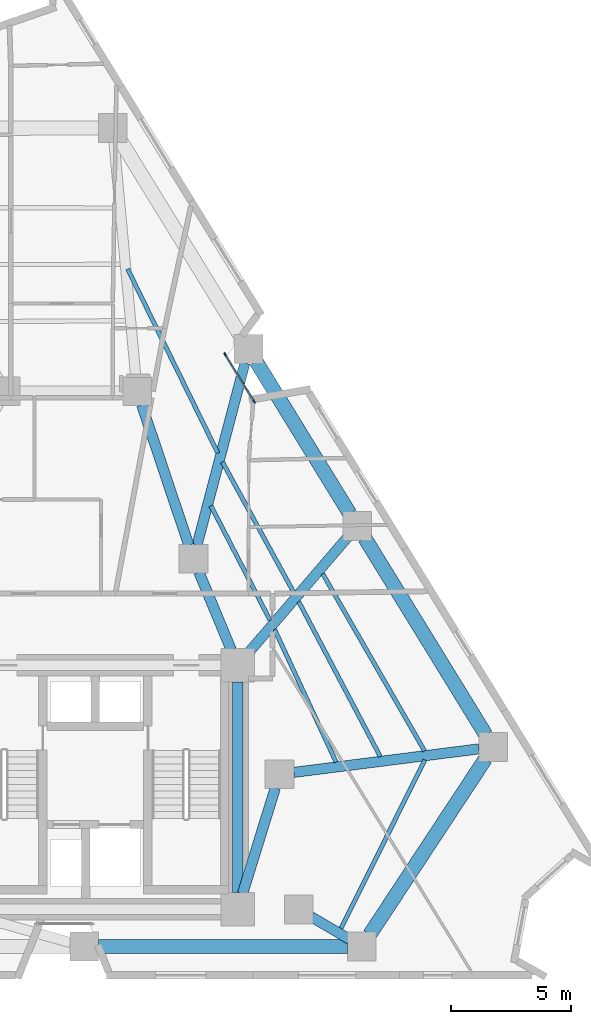
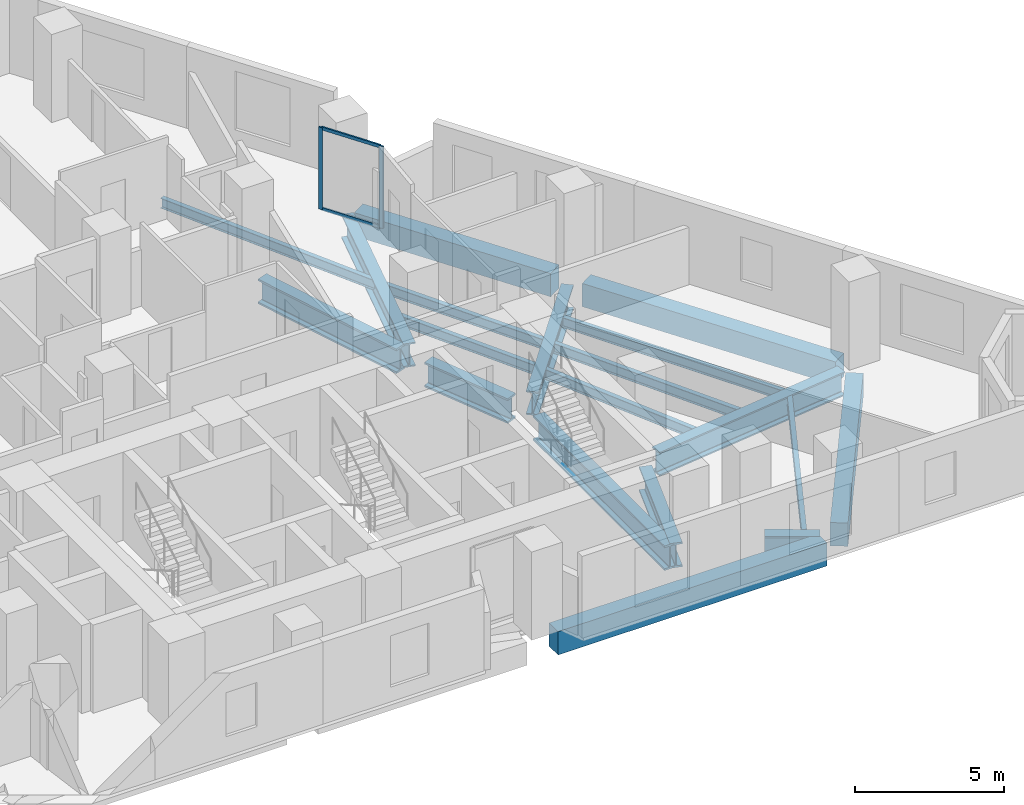
# One storey, part 4 of 13: 19 beams, 4 members, 1 element without a shape of its own.
"""IFC4 building model written with IfcOpenShell, lengths in metres."""

from ifc_helpers import new_model, si_unit, direction, frame, origin, origin_2d, place, context, subcontext, project, spatial, rectangle, i_section, extrude, material, layer, layer_set, material_profile, profile_set, type_object, element, aggregate, save


model = new_model("IFC4")

# Units and contexts
model_context = context("Model", 3, precision=1e-05, world=origin(), true_north=direction((0.0, 1.0)))
body_context = subcontext(model_context, "Body", "Model", "MODEL_VIEW")
ifc_project = project(units=[si_unit("LENGTHUNIT", "METRE"), si_unit("AREAUNIT", "SQUARE_METRE"), si_unit("VOLUMEUNIT", "CUBIC_METRE"), si_unit("PLANEANGLEUNIT", "RADIAN"), si_unit("MASSUNIT", "GRAM", prefix="KILO")], contexts=[model_context])

# Site, building, storey
site_placement = place(None, origin())
site = spatial("IfcSite", under=ifc_project, at=site_placement, CompositionType="ELEMENT")
building_placement = place(site_placement, origin())
building = spatial("IfcBuilding", under=site, at=building_placement, Name="Almagre Mirador Tower", CompositionType="ELEMENT")
storey_placement = place(building_placement, frame((0.0, 0.0, 78.60009765625)))
storey = spatial("IfcBuildingStorey", under=building, at=storey_placement, Name="L19", CompositionType="ELEMENT", Elevation=78.60009765625)

# Beams
ifc_material_1 = material(Name="Steel ASTM A992 Grade 50", Category="steel")
ifc_material_profile_1 = material_profile(ifc_material_1, i_section(OverallWidth=0.178955078125, OverallDepth=0.408935546875, WebThickness=0.0087890625, FlangeThickness=0.014404296875, FilletRadius=0.013916015625, at=origin_2d()), Name="W16X45")
ifc_profile_set_1 = profile_set([ifc_material_profile_1], Name="Steel ASTM A992 Grade 50")
beam_type_1 = type_object("IfcBeamType", Name="BM-JST-W16X45", PredefinedType="JOIST", material=ifc_profile_set_1)
beam_1_placement = place(storey_placement, frame((51.36865234375, 3.75927734375, -0.45458984375), z_axis=(0.445858512844, 0.89510345018, 0.0), x_axis=(-0.89510345018, 0.445858512844, 0.0)))
element("IfcBeam", 1, at=beam_1_placement, inside=storey, type_object=beam_type_1, Name="L19 secondary floor joist PC04-PC05.1", PredefinedType="JOIST", context=body_context, shape_type="SweptSolid", body=[
    extrude(i_section(OverallWidth=0.178955078125, OverallDepth=0.408935546875, WebThickness=0.0087890625, FlangeThickness=0.014404296875, FilletRadius=0.013916015625, at=origin_2d()), origin(), (0.0, 0.0, 1.0), 7.858154296875),
])
beam_2_placement = place(storey_placement, frame((54.861083984375, 11.170166015625, -0.45458984375), z_axis=(-0.498260180267, 0.867027561707, 0.0), x_axis=(-0.867027561707, -0.498260180267, 0.0)))
element("IfcBeam", 2, at=beam_2_placement, inside=storey, type_object=beam_type_1, Name="L19 secondary floor joist PC05-PC06.1", PredefinedType="JOIST", context=body_context, shape_type="SweptSolid", body=[
    extrude(i_section(OverallWidth=0.178955078125, OverallDepth=0.408935546875, WebThickness=0.0087890625, FlangeThickness=0.014404296875, FilletRadius=0.013916015625, at=origin_2d()), origin(), (0.0, 0.0, 1.0), 8.54638671875),
])
beam_3_placement = place(storey_placement, frame((53.010498046875, 10.937744140625, -0.45458984375), z_axis=(-0.466003449067, 0.884782903009, 0.0), x_axis=(-0.884782903009, -0.466003449067, 0.0)))
element("IfcBeam", 3, at=beam_3_placement, inside=storey, type_object=beam_type_1, Name="L19 secondary floor joist PC05-PC06.2", PredefinedType="JOIST", context=body_context, shape_type="SweptSolid", body=[
    extrude(i_section(OverallWidth=0.178955078125, OverallDepth=0.408935546875, WebThickness=0.0087890625, FlangeThickness=0.014404296875, FilletRadius=0.013916015625, at=origin_2d()), origin(), (0.0, 0.0, 1.0), 7.320556640625),
])
beam_4_placement = place(storey_placement, frame((51.16259765625, 10.7060546875, -0.45458984375), z_axis=(-0.420643946583, 0.90722580993, 0.0), x_axis=(-0.90722580993, -0.420643946583, 0.0)))
element("IfcBeam", 4, at=beam_4_placement, inside=storey, type_object=beam_type_1, Name="L19 secondary floor joist PC05-PC06.3", PredefinedType="JOIST", context=body_context, shape_type="SweptSolid", body=[
    extrude(i_section(OverallWidth=0.178955078125, OverallDepth=0.408935546875, WebThickness=0.0087890625, FlangeThickness=0.014404296875, FilletRadius=0.013916015625, at=origin_2d()), origin(), (0.0, 0.0, 1.0), 6.109375),
])
beam_5_placement = place(storey_placement, frame((49.396728515625, 17.7919921875, -0.45458984375), z_axis=(-0.479727277222, 0.877417653965, 0.0), x_axis=(-0.877417653965, -0.479727277222, 0.0)))
element("IfcBeam", 5, at=beam_5_placement, inside=storey, type_object=beam_type_1, Name="L19 secondary floor joist PC06-PC07.2", PredefinedType="JOIST", context=body_context, shape_type="SweptSolid", body=[
    extrude(i_section(OverallWidth=0.178955078125, OverallDepth=0.408935546875, WebThickness=0.0087890625, FlangeThickness=0.014404296875, FilletRadius=0.013916015625, at=origin_2d()), origin(), (0.0, 0.0, 1.0), 6.2138671875),
])
beam_6_placement = place(storey_placement, frame((48.404296875, 16.6328125, -0.45458984375), z_axis=(-0.459287235834, 0.888287810904, 0.0), x_axis=(-0.888287810904, -0.459287235834, 0.0)))
element("IfcBeam", 6, at=beam_6_placement, inside=storey, type_object=beam_type_1, Name="L19 secondary floor joist PC06-PC07.3", PredefinedType="JOIST", context=body_context, shape_type="SweptSolid", body=[
    extrude(i_section(OverallWidth=0.178955078125, OverallDepth=0.408935546875, WebThickness=0.0087890625, FlangeThickness=0.014404296875, FilletRadius=0.013916015625, at=origin_2d()), origin(), (0.0, 0.0, 1.0), 5.384765625),
])
beam_7_placement = place(storey_placement, frame((46.21875, 23.6240234375, -0.45458984375), z_axis=(-0.439958933101, 0.898017893577, 0.0), x_axis=(-0.898017893577, -0.439958933101, 0.0)))
element("IfcBeam", 7, at=beam_7_placement, inside=storey, type_object=beam_type_1, Name="L19 secondary floor joist PC07-PC08.2", PredefinedType="JOIST", context=body_context, shape_type="SweptSolid", body=[
    extrude(i_section(OverallWidth=0.178955078125, OverallDepth=0.408935546875, WebThickness=0.0087890625, FlangeThickness=0.014404296875, FilletRadius=0.013916015625, at=origin_2d()), origin(), (0.0, 0.0, 1.0), 8.565185546875),
])
ifc_material_2 = material(Name="Precast concrete C50/60", Category="concrete")
ifc_material_profile_2 = material_profile(ifc_material_2, rectangle(XDim=0.60009765625, YDim=0.949951171875, at=origin_2d()), Name="RC600X950")
ifc_profile_set_2 = profile_set([ifc_material_profile_2], Name="Precast concrete C50/60")
beam_type_2 = type_object("IfcBeamType", Name="BM-SPN-RC600X950", PredefinedType="SPANDREL", material=ifc_profile_set_2)
beam_8_placement = place(storey_placement, frame((41.239990234375, 3.0, -0.72509765625), z_axis=(1.0, 0.0, 0.0), x_axis=(0.0, 1.0, 0.0)))
element("IfcBeam", 8, at=beam_8_placement, inside=storey, type_object=beam_type_2, Name="L19 perimeter spandrel beam PC03-PC04", PredefinedType="SPANDREL", context=body_context, shape_type="SweptSolid", body=[
    extrude(rectangle(XDim=0.60009765625, YDim=0.949951171875, at=origin_2d()), origin(), (0.0, 0.0, 1.0), 10.39990234375),
])
beam_9_placement = place(storey_placement, frame((52.570068359375, 3.501220703125, -0.72509765625), z_axis=(0.550014218611, 0.835155290545, 0.0), x_axis=(-0.835155290545, 0.550014218611, 0.0)))
element("IfcBeam", 9, at=beam_9_placement, inside=storey, type_object=beam_type_2, Name="L19 perimeter spandrel beam PC04-PC05", PredefinedType="SPANDREL", context=body_context, shape_type="SweptSolid", body=[
    extrude(rectangle(XDim=0.60009765625, YDim=0.949951171875, at=origin_2d()), origin(), (0.0, 0.0, 1.0), 8.78125),
])
beam_10_placement = place(storey_placement, frame((57.415771484375, 11.84716796875, -0.72509765625), z_axis=(-0.523677963784, 0.85191630472, 0.0), x_axis=(-0.85191630472, -0.523677963784, 0.0)))
element("IfcBeam", 10, at=beam_10_placement, inside=storey, type_object=beam_type_2, Name="L19 perimeter spandrel beam PC05-PC06", PredefinedType="SPANDREL", context=body_context, shape_type="SweptSolid", body=[
    extrude(rectangle(XDim=0.60009765625, YDim=0.949951171875, at=origin_2d()), origin(), (0.0, 0.0, 1.0), 9.646240234375),
])
beam_11_placement = place(storey_placement, frame((51.73583984375, 21.087158203125, -0.72509765625), z_axis=(-0.523685630809, 0.851911591707, 0.0), x_axis=(-0.851911591707, -0.523685630809, 0.0)))
element("IfcBeam", 11, at=beam_11_placement, inside=storey, type_object=beam_type_2, Name="L19 perimeter spandrel beam PC06-PC07", PredefinedType="SPANDREL", context=body_context, shape_type="SweptSolid", body=[
    extrude(rectangle(XDim=0.60009765625, YDim=0.949951171875, at=origin_2d()), origin(), (0.0, 0.0, 1.0), 7.476806640625),
])
ifc_material_3 = material(Name="Steel ASTM A992 Grade 50", Category="steel")
ifc_material_profile_3 = material_profile(ifc_material_3, i_section(OverallWidth=0.427978515625, OverallDepth=0.97509765625, WebThickness=0.031005859375, FlangeThickness=0.055908203125, FilletRadius=0.028076171875, at=origin_2d()), Name="W36X395")
ifc_profile_set_3 = profile_set([ifc_material_profile_3], Name="Steel ASTM A992 Grade 50")
beam_type_3 = type_object("IfcBeamType", Name="BM-STL-W36X395", PredefinedType="BEAM", material=ifc_profile_set_3)
beam_12_placement = place(storey_placement, frame((51.72265625, 3.3037109375, -0.737548828125), z_axis=(-0.862372214541, 0.50627479059, 0.0), x_axis=(-0.50627479059, -0.862372214541, 0.0)))
element("IfcBeam", 12, at=beam_12_placement, inside=storey, type_object=beam_type_3, Name="L19 radial floor girder PC04-MC2", PredefinedType="BEAM", context=body_context, shape_type="SweptSolid", body=[
    extrude(i_section(OverallWidth=0.427978515625, OverallDepth=0.97509765625, WebThickness=0.031005859375, FlangeThickness=0.055908203125, FilletRadius=0.028076171875, at=origin_2d()), origin(), (0.0, 0.0, 1.0), 1.861328125),
])
beam_13_placement = place(storey_placement, frame((57.134765625, 11.26025390625, -0.737548828125), z_axis=(-0.992004466141, -0.126202770006, 0.0), x_axis=(0.126202770006, -0.992004466141, 0.0)))
element("IfcBeam", 13, at=beam_13_placement, inside=storey, type_object=beam_type_3, Name="L19 radial floor girder PC05-MC3", PredefinedType="BEAM", context=body_context, shape_type="SweptSolid", body=[
    extrude(i_section(OverallWidth=0.427978515625, OverallDepth=0.97509765625, WebThickness=0.031005859375, FlangeThickness=0.055908203125, FilletRadius=0.028076171875, at=origin_2d()), origin(), (0.0, 0.0, 1.0), 7.802001953125),
])
beam_14_placement = place(storey_placement, frame((51.6591796875, 20.12060546875, -0.737548828125), z_axis=(-0.651270456957, -0.758845697026, 0.0), x_axis=(0.758845697026, -0.651270456957, 0.0)))
element("IfcBeam", 14, at=beam_14_placement, inside=storey, type_object=beam_type_3, Name="L19 radial floor girder PC06-CC6", PredefinedType="BEAM", context=body_context, shape_type="SweptSolid", body=[
    extrude(i_section(OverallWidth=0.427978515625, OverallDepth=0.97509765625, WebThickness=0.031005859375, FlangeThickness=0.055908203125, FilletRadius=0.028076171875, at=origin_2d()), origin(), (0.0, 0.0, 1.0), 6.377197265625),
])
beam_15_placement = place(storey_placement, frame((47.353515625, 27.3876953125, -0.737548828125), z_axis=(-0.25437719106, -0.967105084605, 0.0), x_axis=(0.967105084605, -0.25437719106, 0.0)))
element("IfcBeam", 15, at=beam_15_placement, inside=storey, type_object=beam_type_3, Name="L19 radial floor girder PC07-MC5", PredefinedType="BEAM", context=body_context, shape_type="SweptSolid", body=[
    extrude(i_section(OverallWidth=0.427978515625, OverallDepth=0.97509765625, WebThickness=0.031005859375, FlangeThickness=0.055908203125, FilletRadius=0.028076171875, at=origin_2d()), origin(), (0.0, 0.0, 1.0), 7.8662109375),
])
ifc_material_4 = material(Name="Steel ASTM A992 Grade 50", Category="steel")
ifc_material_profile_4 = material_profile(ifc_material_4, i_section(OverallWidth=0.43701171875, OverallDepth=1.010986328125, WebThickness=0.041015625, FlangeThickness=0.073974609375, FilletRadius=0.028076171875, at=origin_2d()), Name="W36X529")
ifc_profile_set_4 = profile_set([ifc_material_profile_4], Name="Steel ASTM A992 Grade 50")
beam_type_4 = type_object("IfcBeamType", Name="BM-STL-W36X529", PredefinedType="BEAM", material=ifc_profile_set_4)
beam_16_placement = place(storey_placement, frame((47.050048828125, 5.25, -0.755615234375), z_axis=(0.0, 1.0, 0.0), x_axis=(-1.0, 0.0, 0.0)))
element("IfcBeam", 16, at=beam_16_placement, inside=storey, type_object=beam_type_4, Name="L19 core tie girder CC3-CC6", PredefinedType="BEAM", context=body_context, shape_type="SweptSolid", body=[
    extrude(i_section(OverallWidth=0.43701171875, OverallDepth=1.010986328125, WebThickness=0.041015625, FlangeThickness=0.073974609375, FilletRadius=0.028076171875, at=origin_2d()), origin(), (0.0, 0.0, 1.0), 8.800048828125),
])
beam_17_placement = place(storey_placement, frame((48.62255859375, 9.626953125, -0.755615234375), z_axis=(-0.295888328273, -0.955222538046, 0.0), x_axis=(0.955222538046, -0.295888328273, 0.0)))
element("IfcBeam", 17, at=beam_17_placement, inside=storey, type_object=beam_type_4, Name="L19 core tie girder MC3-CC3", PredefinedType="BEAM", context=body_context, shape_type="SweptSolid", body=[
    extrude(i_section(OverallWidth=0.43701171875, OverallDepth=1.010986328125, WebThickness=0.041015625, FlangeThickness=0.073974609375, FilletRadius=0.028076171875, at=origin_2d()), origin(), (0.0, 0.0, 1.0), 4.61474609375),
])
beam_18_placement = place(storey_placement, frame((45.430419921875, 18.64599609375, -0.755615234375), z_axis=(0.383856635851, -0.923392702545, 0.0), x_axis=(0.923392702545, 0.383856635851, 0.0)))
element("IfcBeam", 18, at=beam_18_placement, inside=storey, type_object=beam_type_4, Name="L19 core tie girder MC5-CC6", PredefinedType="BEAM", context=body_context, shape_type="SweptSolid", body=[
    extrude(i_section(OverallWidth=0.43701171875, OverallDepth=1.010986328125, WebThickness=0.041015625, FlangeThickness=0.073974609375, FilletRadius=0.028076171875, at=origin_2d()), origin(), (0.0, 0.0, 1.0), 3.51904296875),
])
beam_19_placement = place(storey_placement, frame((43.041015625, 25.631103515625, -0.755615234375), z_axis=(0.318252395552, -0.948006019351, 0.0), x_axis=(0.948006019351, 0.318252395552, 0.0)))
element("IfcBeam", 19, at=beam_19_placement, inside=storey, type_object=beam_type_4, Name="L19 core tie girder MC6-MC5", PredefinedType="BEAM", context=body_context, shape_type="SweptSolid", body=[
    extrude(i_section(OverallWidth=0.43701171875, OverallDepth=1.010986328125, WebThickness=0.041015625, FlangeThickness=0.073974609375, FilletRadius=0.028076171875, at=origin_2d()), origin(), (0.0, 0.0, 1.0), 6.183837890625),
])

# Curtain wall, members
ifc_material_5 = material(Name="Black anodized aluminium", Category="aluminium")
ifc_layer = layer(ifc_material_5, 0.169921875)
ifc_layer_set = layer_set([ifc_layer], Name="Black anodized aluminium")
curtain_wall_type = type_object("IfcCurtainWallType", Name="CW-CRS-SYS", PredefinedType="NOTDEFINED", material=ifc_layer_set)
curtain_wall_placement = place(storey_placement, origin())
curtain_wall = element("IfcCurtainWall", 20, at=curtain_wall_placement, inside=storey, type_object=curtain_wall_type, Name="L19 vertical crease curtain wall 03", PredefinedType="NOTDEFINED")
ifc_material_6 = material(Name="Black anodized aluminium", Category="aluminium")
ifc_material_profile_5 = material_profile(ifc_material_6, rectangle(XDim=0.06005859375, YDim=0.14990234375, at=origin_2d()), Name="CWM60X150")
ifc_profile_set_5 = profile_set([ifc_material_profile_5], Name="Black anodized aluminium")
member_type_1 = type_object("IfcMemberType", Name="MBR-CWM60X150", PredefinedType="MULLION", material=ifc_profile_set_5)
member_1_placement = place(storey_placement, frame((46.52734375, 27.745849609375, 0.0), z_axis=(0.0, 0.0, 1.0), x_axis=(0.852078136772, 0.523414605102, 0.0)))
member_1 = element("IfcMember", 21, at=member_1_placement, type_object=member_type_1, Name="CW-4 mullion 1", PredefinedType="MULLION", context=body_context, shape_type="SweptSolid", body=[
    extrude(rectangle(XDim=0.06005859375, YDim=0.14990234375, at=origin_2d()), origin(), (0.0, 0.0, 1.0), 3.349853515625),
])
member_2_placement = place(storey_placement, frame((47.736572265625, 25.77734375, 0.0), z_axis=(0.0, 0.0, 1.0), x_axis=(0.852078136772, 0.523414605102, 0.0)))
member_2 = element("IfcMember", 22, at=member_2_placement, type_object=member_type_1, Name="CW-4 mullion 2", PredefinedType="MULLION", context=body_context, shape_type="SweptSolid", body=[
    extrude(rectangle(XDim=0.06005859375, YDim=0.14990234375, at=origin_2d()), origin(), (0.0, 0.0, 1.0), 3.349853515625),
])
ifc_material_7 = material(Name="Black anodized aluminium", Category="aluminium")
ifc_material_profile_6 = material_profile(ifc_material_7, rectangle(XDim=0.06005859375, YDim=0.1298828125, at=origin_2d()), Name="CWT60X130")
ifc_profile_set_6 = profile_set([ifc_material_profile_6], Name="Black anodized aluminium")
member_type_2 = type_object("IfcMemberType", Name="MBR-CWT60X130", PredefinedType="USERDEFINED", material=ifc_profile_set_6)
member_3_placement = place(storey_placement, frame((46.543212890625, 27.72021484375, 0.02978515625), z_axis=(0.523370843284, -0.852105017237, 0.0), x_axis=(0.852105017237, 0.523370843284, 0.0)))
member_3 = element("IfcMember", 23, at=member_3_placement, type_object=member_type_2, Name="CW-4 transom 1.1", ObjectType="TRANSOM", PredefinedType="USERDEFINED", context=body_context, shape_type="SweptSolid", body=[
    extrude(rectangle(XDim=0.06005859375, YDim=0.1298828125, at=origin_2d()), origin(), (0.0, 0.0, 1.0), 2.250244140625),
])
member_4_placement = place(storey_placement, frame((46.543212890625, 27.72021484375, 3.31982421875), z_axis=(0.523370843284, -0.852105017237, 0.0), x_axis=(0.852105017237, 0.523370843284, 0.0)))
member_4 = element("IfcMember", 24, at=member_4_placement, type_object=member_type_2, Name="CW-4 transom 1.2", ObjectType="TRANSOM", PredefinedType="USERDEFINED", context=body_context, shape_type="SweptSolid", body=[
    extrude(rectangle(XDim=0.06005859375, YDim=0.1298828125, at=origin_2d()), origin(), (0.0, 0.0, 1.0), 2.250244140625),
])
aggregate(curtain_wall, [member_1, member_2, member_3, member_4])

save(model, "model.ifc")
